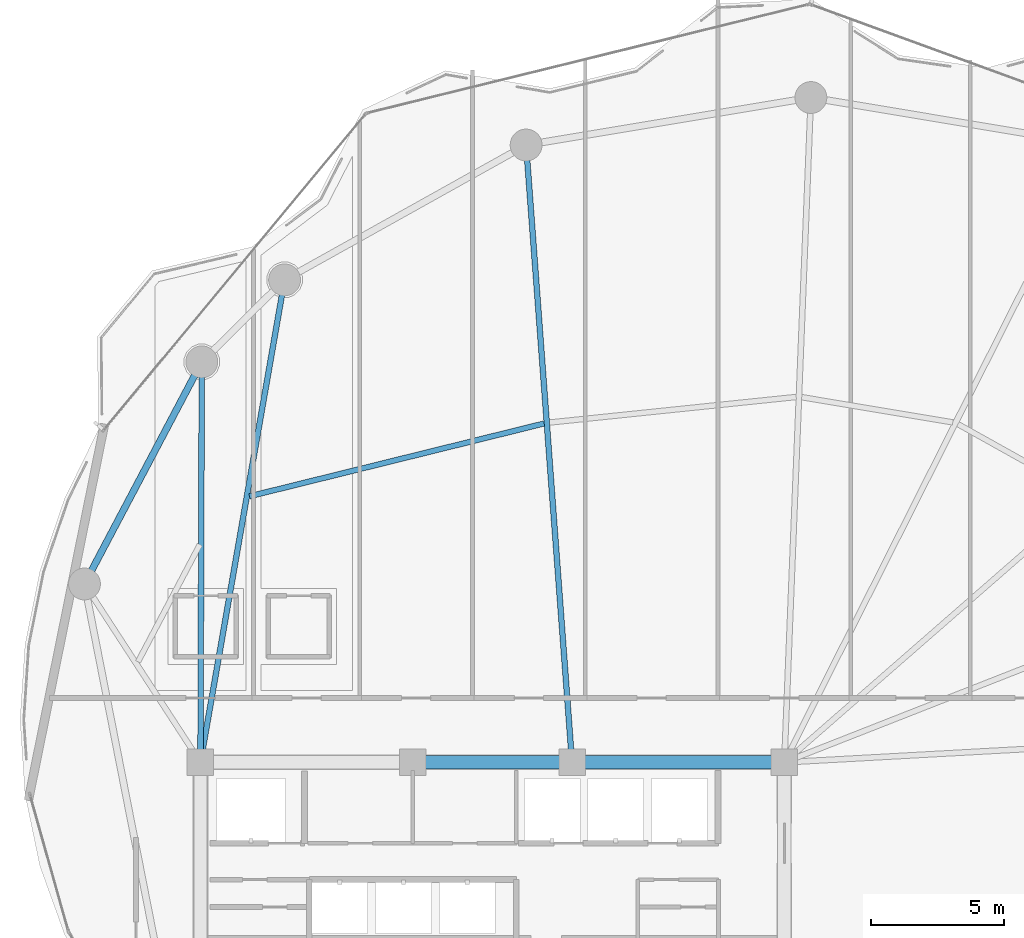
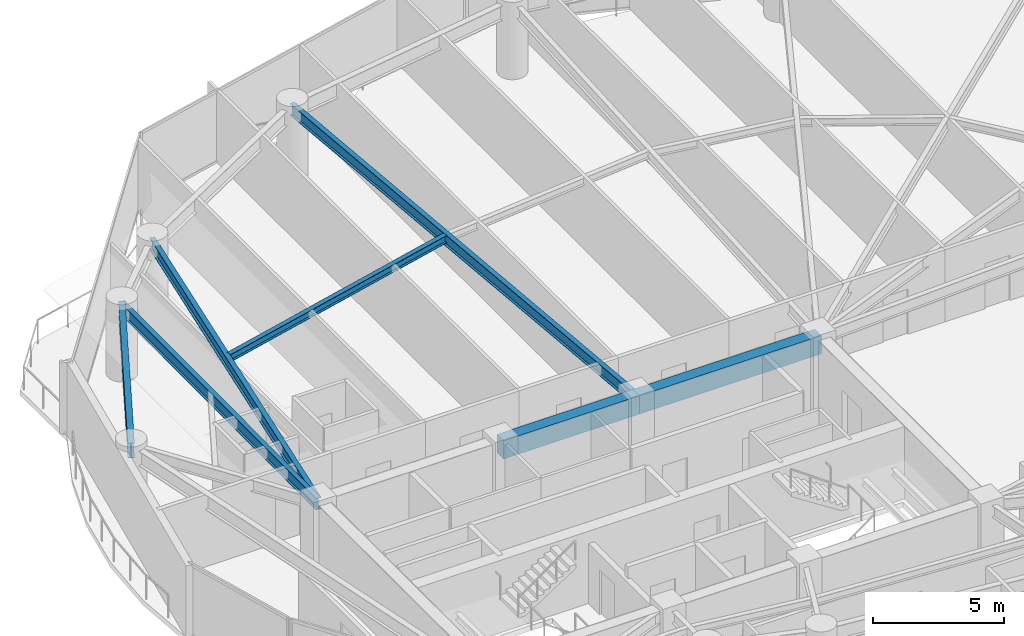
# One storey, part 8 of 28: 7 beams.
"""IFC4 building model written with IfcOpenShell, lengths in metres."""

from ifc_helpers import new_model, si_unit, direction, frame, origin, origin_2d, place, context, subcontext, project, spatial, rectangle, i_section, extrude, material, material_profile, profile_set, type_object, element, save


model = new_model("IFC4")

# Units and contexts
model_context = context("Model", 3, precision=1e-05, world=origin(), true_north=direction((0.0, 1.0)))
body_context = subcontext(model_context, "Body", "Model", "MODEL_VIEW")
ifc_project = project(units=[si_unit("LENGTHUNIT", "METRE"), si_unit("AREAUNIT", "SQUARE_METRE"), si_unit("VOLUMEUNIT", "CUBIC_METRE"), si_unit("PLANEANGLEUNIT", "RADIAN"), si_unit("MASSUNIT", "GRAM", prefix="KILO")], contexts=[model_context])

# Site, building, storey
site_placement = place(None, origin())
site = spatial("IfcSite", under=ifc_project, at=site_placement, CompositionType="ELEMENT")
building_placement = place(site_placement, origin())
building = spatial("IfcBuilding", under=site, at=building_placement, Name="Kazevale Care Tower and Concert Hall", CompositionType="ELEMENT")
storey_placement = place(building_placement, frame((0.0, 0.0, 109.800048828125)))
storey = spatial("IfcBuildingStorey", under=building, at=storey_placement, Name="L28", CompositionType="ELEMENT", Elevation=109.800048828125)

# Beams
ifc_material_1 = material(Name="Concrete C60", Category="concrete")
ifc_material_profile_1 = material_profile(ifc_material_1, rectangle(XDim=0.5, YDim=0.85009765625, at=origin_2d()), Name="RC-B500x850")
ifc_profile_set_1 = profile_set([ifc_material_profile_1], Name="Concrete C60")
beam_type_1 = type_object("IfcBeamType", Name="Core Coupling Beam RC500x850", PredefinedType="LINTEL", material=ifc_profile_set_1)
beam_1_placement = place(storey_placement, frame((44.0, 36.39990234375, 2.93505859375), z_axis=(-1.0, 0.0, 0.0), x_axis=(0.0, -1.0, 0.0)))
element("IfcBeam", 1, at=beam_1_placement, inside=storey, type_object=beam_type_1, Name="beam:L28:coretie:5", PredefinedType="LINTEL", context=body_context, shape_type="SweptSolid", body=[
    extrude(rectangle(XDim=0.5, YDim=0.85009765625, at=origin_2d()), origin(), (0.0, 0.0, 1.0), 8.0),
])
beam_2_placement = place(storey_placement, frame((36.0, 36.39990234375, 2.93505859375), z_axis=(-1.0, 0.0, 0.0), x_axis=(0.0, -1.0, 0.0)))
element("IfcBeam", 2, at=beam_2_placement, inside=storey, type_object=beam_type_1, Name="beam:L28:coretie:6", PredefinedType="LINTEL", context=body_context, shape_type="SweptSolid", body=[
    extrude(rectangle(XDim=0.5, YDim=0.85009765625, at=origin_2d()), origin(), (0.0, 0.0, 1.0), 6.0),
])
ifc_material_2 = material(Name="Steel ASTM A572 Gr 50", Category="steel")
ifc_material_profile_2 = material_profile(ifc_material_2, i_section(OverallWidth=0.2119140625, OverallDepth=0.5439453125, WebThickness=0.01318359375, FlangeThickness=0.021240234375, at=origin_2d()), Name="W530x123")
ifc_profile_set_2 = profile_set([ifc_material_profile_2], Name="Steel ASTM A572 Gr 50")
beam_type_2 = type_object("IfcBeamType", Name="Radial Floor Girder W530x123", PredefinedType="BEAM", material=ifc_profile_set_2)
beam_3_placement = place(storey_placement, frame((36.0, 36.39990234375, 3.087890625), z_axis=(-0.074170876808, 0.997245547011, 0.0), x_axis=(-0.997245547011, -0.074170876808, 0.0)))
element("IfcBeam", 3, at=beam_3_placement, inside=storey, type_object=beam_type_2, Name="beam:L28:rad:06", PredefinedType="BEAM", context=body_context, shape_type="SweptSolid", body=[
    extrude(i_section(OverallWidth=0.2119140625, OverallDepth=0.5439453125, WebThickness=0.01318359375, FlangeThickness=0.021240234375, at=origin_2d()), origin(), (0.0, 0.0, 1.0), 23.32421875),
])
beam_4_placement = place(storey_placement, frame((22.0, 36.39990234375, 3.087890625), z_axis=(0.171769935245, 0.985137091651, 0.0), x_axis=(-0.985137091651, 0.171769935245, 0.0)))
element("IfcBeam", 4, at=beam_4_placement, inside=storey, type_object=beam_type_2, Name="beam:L28:rad:07", PredefinedType="BEAM", context=body_context, shape_type="SweptSolid", body=[
    extrude(i_section(OverallWidth=0.2119140625, OverallDepth=0.5439453125, WebThickness=0.01318359375, FlangeThickness=0.021240234375, at=origin_2d()), origin(), (0.0, 0.0, 1.0), 18.454345703125),
])
beam_5_placement = place(storey_placement, frame((22.0, 36.39990234375, 3.087890625), z_axis=(0.003316650851, 0.999994499898, 0.0), x_axis=(-0.999994499898, 0.003316650851, 0.0)))
element("IfcBeam", 5, at=beam_5_placement, inside=storey, type_object=beam_type_2, Name="beam:L28:rad:08", PredefinedType="BEAM", context=body_context, shape_type="SweptSolid", body=[
    extrude(i_section(OverallWidth=0.2119140625, OverallDepth=0.5439453125, WebThickness=0.01318359375, FlangeThickness=0.021240234375, at=origin_2d()), origin(), (0.0, 0.0, 1.0), 15.090087890625),
])
ifc_material_profile_3 = material_profile(ifc_material_2, i_section(OverallWidth=0.205078125, OverallDepth=0.35400390625, WebThickness=0.009521484375, FlangeThickness=0.016845703125, at=origin_2d()), Name="W360x79")
ifc_profile_set_3 = profile_set([ifc_material_profile_3], Name="Steel ASTM A572 Gr 50")
beam_type_3 = type_object("IfcBeamType", Name="Secondary Floor Joist W360x79", PredefinedType="JOIST", material=ifc_profile_set_3)
beam_6_placement = place(storey_placement, frame((34.947021484375, 49.16796875, 3.182861328125), z_axis=(-0.970789504014, -0.239932779954, 0.0), x_axis=(0.239932779954, -0.970789504014, 0.0)))
element("IfcBeam", 6, at=beam_6_placement, inside=storey, type_object=beam_type_3, Name="beam:L28:joist:06", PredefinedType="JOIST", context=body_context, shape_type="SweptSolid", body=[
    extrude(i_section(OverallWidth=0.205078125, OverallDepth=0.35400390625, WebThickness=0.009521484375, FlangeThickness=0.016845703125, at=origin_2d()), origin(), (0.0, 0.0, 1.0), 11.43603515625),
])
ifc_material_profile_4 = material_profile(ifc_material_2, i_section(OverallWidth=0.256103515625, OverallDepth=0.693115234375, WebThickness=0.014404296875, FlangeThickness=0.023681640625, at=origin_2d()), Name="W690x170")
ifc_profile_set_4 = profile_set([ifc_material_profile_4], Name="Steel ASTM A572 Gr 50")
beam_type_4 = type_object("IfcBeamType", Name="Waist Ring Beam W690x170", PredefinedType="BEAM", material=ifc_profile_set_4)
beam_7_placement = place(storey_placement, frame((22.050048828125, 51.489990234375, 3.013427734375), z_axis=(-0.466984438127, -0.884265533959, 0.0), x_axis=(0.884265533959, -0.466984438127, 0.0)))
element("IfcBeam", 7, at=beam_7_placement, inside=storey, type_object=beam_type_4, Name="beam:L28:ring:08", PredefinedType="BEAM", context=body_context, shape_type="SweptSolid", body=[
    extrude(i_section(OverallWidth=0.256103515625, OverallDepth=0.693115234375, WebThickness=0.014404296875, FlangeThickness=0.023681640625, at=origin_2d()), origin(), (0.0, 0.0, 1.0), 9.46533203125),
])

save(model, "model.ifc")
